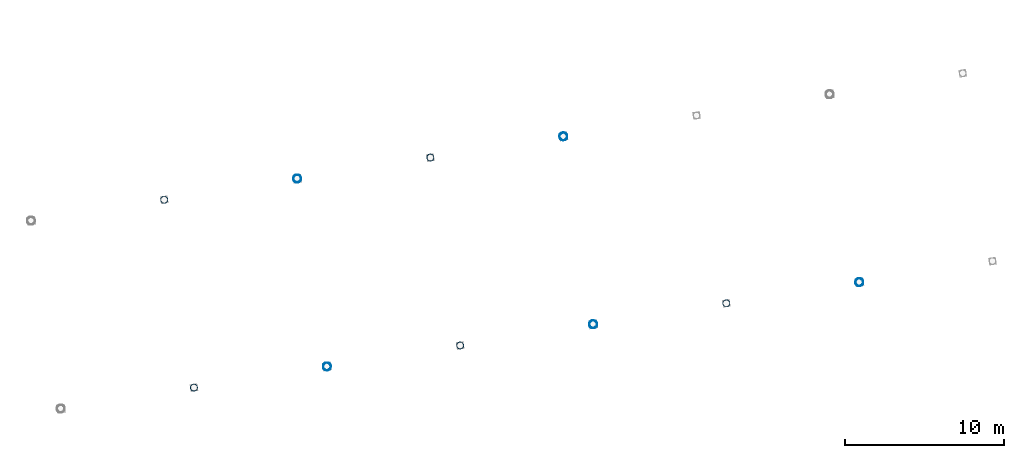
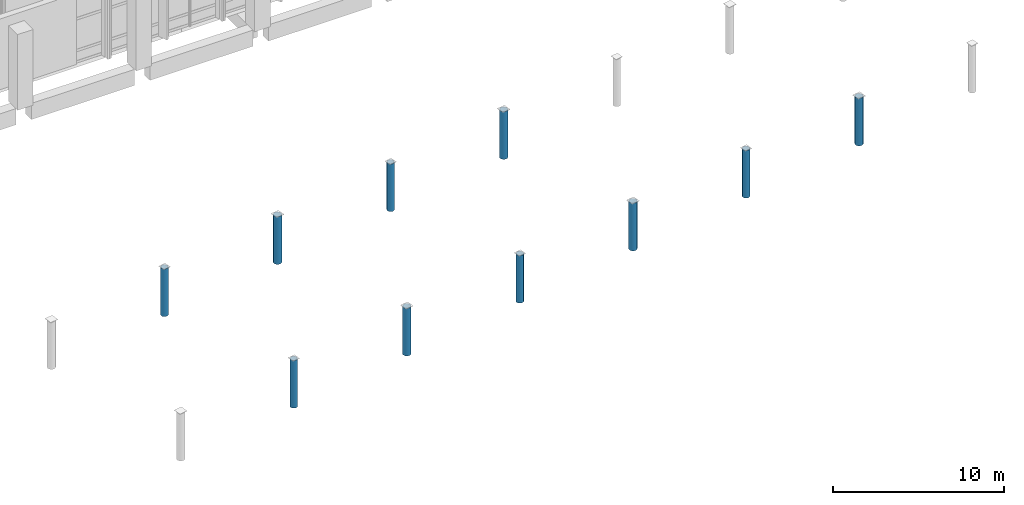
# One storey, part 4 of 176: 10 columns.
"""IFC4 building model written with IfcOpenShell, lengths in metres."""

from ifc_helpers import new_model, si_unit, direction, frame, origin, origin_2d, place, context, subcontext, project, spatial, hollow_circle, extrude, material, material_profile, profile_set, type_object, element, save


model = new_model("IFC4")

# Units and contexts
model_context = context("Model", 3, precision=1e-05, world=origin(), true_north=direction((0.0, 1.0)))
body_context = subcontext(model_context, "Body", "Model", "MODEL_VIEW")
ifc_project = project(units=[si_unit("LENGTHUNIT", "METRE"), si_unit("AREAUNIT", "SQUARE_METRE"), si_unit("VOLUMEUNIT", "CUBIC_METRE"), si_unit("PLANEANGLEUNIT", "RADIAN"), si_unit("MASSUNIT", "GRAM", prefix="KILO")], contexts=[model_context])

# Site, building, storey
site_placement = place(None, origin())
site = spatial("IfcSite", under=ifc_project, at=site_placement, CompositionType="ELEMENT")
building_placement = place(site_placement, origin())
building = spatial("IfcBuilding", under=site, at=building_placement, Name="Khorjan Park Terminus", CompositionType="ELEMENT")
storey_placement = place(building_placement, frame((0.0, 0.0, 6.0)))
storey = spatial("IfcBuildingStorey", under=building, at=storey_placement, Name="L01", CompositionType="ELEMENT", Elevation=6.0)

# Columns
ifc_material = material(Name="Steel S355", Category="steel")
ifc_material_profile_1 = material_profile(ifc_material, hollow_circle(Radius=0.2285, WallThickness=0.016, at=origin_2d()), Name="CHS 457x16")
ifc_profile_set_1 = profile_set([ifc_material_profile_1], Name="Steel S355")
column_type_1 = type_object("IfcColumnType", Name="COL-SH457E", PredefinedType="COLUMN", material=ifc_profile_set_1)
for number, where, z_axis, x_axis, name in (
    (1, (62.395, -8.67, 0.0), (0.0, 0.0, 1.0), (0.987688340595, 0.15643446504, 0.0), "Structural column SC-46 (L01 #550)"),
    (2, (60.518, 3.182, 0.0), (0.0, 0.0, 1.0), (0.987688340595, 0.15643446504, 0.0), "Structural column SC-46 (L01 #553)"),
    (3, (79.186, -6.011, 0.0), (0.0, 0.0, 1.0), (0.987688340595, 0.15643446504, 0.0), "Structural column SC-46 (L01 #562)"),
    (4, (77.309, 5.841, 0.0), (0.0, 0.0, 1.0), (0.987688340595, 0.15643446504, 0.0), "Structural column SC-46 (L01 #565)"),
    (5, (95.977, -3.352, 0.0), (0.0, 0.0, 1.0), (0.987688340595, 0.15643446504, 0.0), "Structural column SC-46 (L01 #574)"),
):
    element("IfcColumn", number, at=place(storey_placement, frame(where, z_axis=z_axis, x_axis=x_axis)), inside=storey, type_object=column_type_1, Name=name, PredefinedType="COLUMN", context=body_context, shape_type="SweptSolid", body=[
        extrude(hollow_circle(Radius=0.2285, WallThickness=0.016, at=origin_2d()), origin(), (0.0, 0.0, 1.0), 3.4),
    ])
ifc_material_profile_2 = material_profile(ifc_material, hollow_circle(Radius=0.254, WallThickness=0.02, at=origin_2d()), Name="CHS 508x20")
ifc_profile_set_2 = profile_set([ifc_material_profile_2], Name="Steel S355")
column_type_2 = type_object("IfcColumnType", Name="COL-SH508E", PredefinedType="COLUMN", material=ifc_profile_set_2)
for number, where, z_axis, x_axis, name in (
    (6, (70.791, -7.341, 0.0), (0.0, 0.0, 1.0), (0.987688340595, 0.15643446504, 0.0), "Structural column SC-51 (L01 #556)"),
    (7, (68.913, 4.512, 0.0), (0.0, 0.0, 1.0), (0.987688340595, 0.15643446504, 0.0), "Structural column SC-51 (L01 #559)"),
    (8, (87.581, -4.681, 0.0), (0.0, 0.0, 1.0), (0.987688340595, 0.15643446504, 0.0), "Structural column SC-51 (L01 #568)"),
    (9, (85.704, 7.171, 0.0), (0.0, 0.0, 1.0), (0.987688340595, 0.15643446504, 0.0), "Structural column SC-51 (L01 #571)"),
    (10, (104.372, -2.022, 0.0), (0.0, 0.0, 1.0), (0.987688340595, 0.15643446504, 0.0), "Structural column SC-51 (L01 #580)"),
):
    element("IfcColumn", number, at=place(storey_placement, frame(where, z_axis=z_axis, x_axis=x_axis)), inside=storey, type_object=column_type_2, Name=name, PredefinedType="COLUMN", context=body_context, shape_type="SweptSolid", body=[
        extrude(hollow_circle(Radius=0.254, WallThickness=0.02, at=origin_2d()), origin(), (0.0, 0.0, 1.0), 3.4),
    ])

save(model, "model.ifc")
